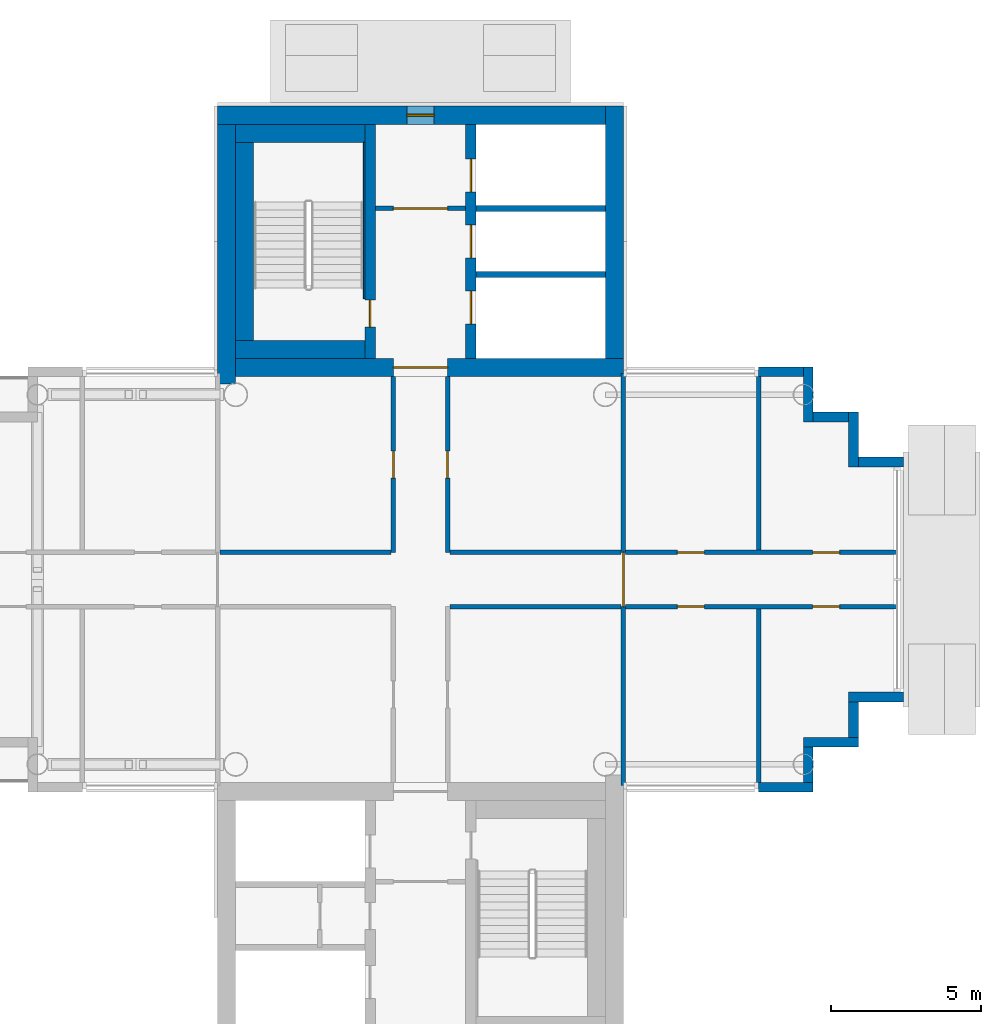
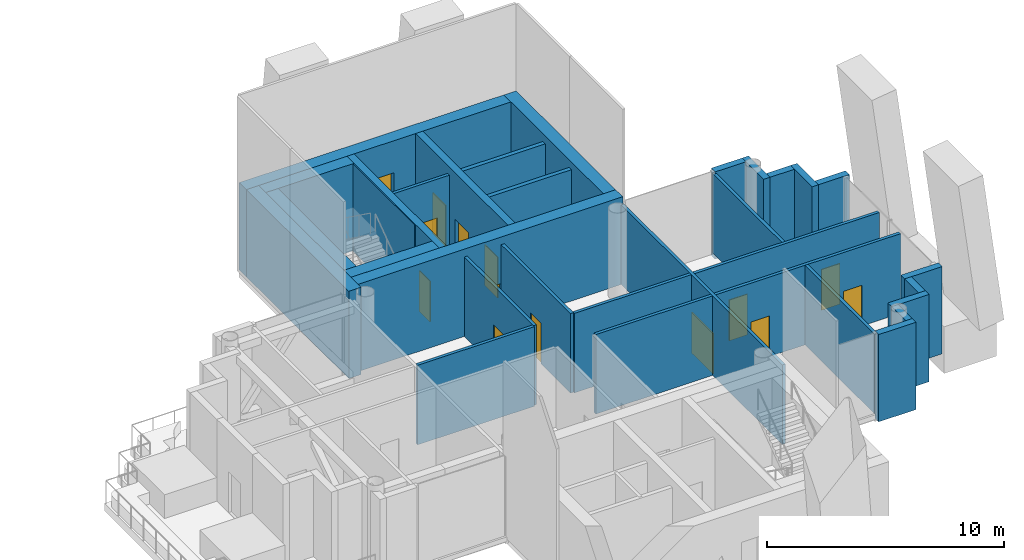
# One storey, part 10 of 16: 33 walls, 13 doors, 1 window, 14 openings.
"""IFC4 building model written with IfcOpenShell, lengths in metres."""

from ifc_helpers import new_model, si_unit, direction, frame, frame_2d, origin, place, context, subcontext, project, spatial, rectangle, extrude, material, layer, layer_set, type_object, element, fill, save


model = new_model("IFC4")

# Units and contexts
model_context = context("Model", 3, precision=1e-05, world=origin(), true_north=direction((0.0, 1.0)))
body_context = subcontext(model_context, "Body", "Model", "MODEL_VIEW")
ifc_project = project(units=[si_unit("LENGTHUNIT", "METRE"), si_unit("AREAUNIT", "SQUARE_METRE"), si_unit("VOLUMEUNIT", "CUBIC_METRE"), si_unit("PLANEANGLEUNIT", "RADIAN"), si_unit("MASSUNIT", "GRAM", prefix="KILO")], contexts=[model_context])

# Site, building, storey
site_placement = place(None, origin())
site = spatial("IfcSite", under=ifc_project, at=site_placement, CompositionType="ELEMENT")
building_placement = place(site_placement, origin())
building = spatial("IfcBuilding", under=site, at=building_placement, Name="Ipe Terrace Towers", CompositionType="ELEMENT")
storey_placement = place(building_placement, frame((0.0, 0.0, 233.39990234375)))
storey = spatial("IfcBuildingStorey", under=building, at=storey_placement, Name="L65", CompositionType="ELEMENT", Elevation=233.39990234375)

# Walls
ifc_material_1 = material(Name="Concrete C40/50 with buff precast cladding", Category="concrete")
ifc_layer_1 = layer(ifc_material_1, 0.320068359375)
ifc_layer_set_1 = layer_set([ifc_layer_1], Name="BUFF CLADDING WALL 320")
wall_type_1 = type_object("IfcWallType", Name="BUFF CLADDING WALL 320", PredefinedType="STANDARD", material=ifc_layer_set_1)
wall_1_placement = place(storey_placement, frame((47.25, -6.909912109375, -0.2998046875), z_axis=(0.0, 0.0, 1.0), x_axis=(1.0, 0.0, 0.0)))
element("IfcWall", 1, at=wall_1_placement, inside=storey, type_object=wall_type_1, Name="T2-W-L65-03a wall", PredefinedType="STANDARD", context=body_context, shape_type="SweptSolid", body=[
    extrude(rectangle(XDim=1.820068359375, YDim=0.320068359375, at=frame_2d((0.91015625, 0.0))), origin(), (0.0, 0.0, 1.0), 4.5),
])
wall_2_placement = place(storey_placement, frame((48.909912109375, -6.75, -0.2998046875), z_axis=(0.0, 0.0, 1.0), x_axis=(0.0, 1.0, 0.0)))
element("IfcWall", 2, at=wall_2_placement, inside=storey, type_object=wall_type_1, Name="T2-W-L65-04a wall", PredefinedType="STANDARD", context=body_context, shape_type="SweptSolid", body=[
    extrude(rectangle(XDim=1.179931640625, YDim=0.320068359375, at=frame_2d((0.58984375, 0.0))), origin(), (0.0, 0.0, 1.0), 4.5),
])
wall_3_placement = place(storey_placement, frame((48.75, -5.409912109375, -0.2998046875), z_axis=(0.0, 0.0, 1.0), x_axis=(1.0, 0.0, 0.0)))
element("IfcWall", 3, at=wall_3_placement, inside=storey, type_object=wall_type_1, Name="T2-W-L65-05a wall", PredefinedType="STANDARD", context=body_context, shape_type="SweptSolid", body=[
    extrude(rectangle(XDim=1.820068359375, YDim=0.320068359375, at=frame_2d((0.91015625, 0.0))), origin(), (0.0, 0.0, 1.0), 4.5),
])
wall_4_placement = place(storey_placement, frame((50.409912109375, -5.25, -0.2998046875), z_axis=(0.0, 0.0, 1.0), x_axis=(0.0, 1.0, 0.0)))
element("IfcWall", 4, at=wall_4_placement, inside=storey, type_object=wall_type_1, Name="T2-W-L65-06a wall", PredefinedType="STANDARD", context=body_context, shape_type="SweptSolid", body=[
    extrude(rectangle(XDim=1.179931640625, YDim=0.320068359375, at=frame_2d((0.58984375, 0.0))), origin(), (0.0, 0.0, 1.0), 4.5),
])
wall_5_placement = place(storey_placement, frame((50.25, -3.909912109375, -0.2998046875), z_axis=(0.0, 0.0, 1.0), x_axis=(1.0, 0.0, 0.0)))
element("IfcWall", 5, at=wall_5_placement, inside=storey, type_object=wall_type_1, Name="T2-W-L65-07a wall", PredefinedType="STANDARD", context=body_context, shape_type="SweptSolid", body=[
    extrude(rectangle(XDim=1.820068359375, YDim=0.320068359375, at=frame_2d((0.91015625, 0.0))), origin(), (0.0, 0.0, 1.0), 4.5),
])
wall_6_placement = place(storey_placement, frame((52.070068359375, 3.909912109375, -0.2998046875), z_axis=(0.0, 0.0, 1.0), x_axis=(-1.0, 0.0, 0.0)))
element("IfcWall", 6, at=wall_6_placement, inside=storey, type_object=wall_type_1, Name="T2-W-L65-09a wall", PredefinedType="STANDARD", context=body_context, shape_type="SweptSolid", body=[
    extrude(rectangle(XDim=1.5, YDim=0.320068359375, at=frame_2d((0.75, 0.0))), origin(), (0.0, 0.0, 1.0), 4.5),
])
wall_7_placement = place(storey_placement, frame((50.409912109375, 3.75, -0.2998046875), z_axis=(0.0, 0.0, 1.0), x_axis=(0.0, 1.0, 0.0)))
element("IfcWall", 7, at=wall_7_placement, inside=storey, type_object=wall_type_1, Name="T2-W-L65-10a wall", PredefinedType="STANDARD", context=body_context, shape_type="SweptSolid", body=[
    extrude(rectangle(XDim=1.820068359375, YDim=0.320068359375, at=frame_2d((0.91015625, 0.0))), origin(), (0.0, 0.0, 1.0), 4.5),
])
wall_8_placement = place(storey_placement, frame((50.25, 5.409912109375, -0.2998046875), z_axis=(0.0, 0.0, 1.0), x_axis=(-1.0, 0.0, 0.0)))
element("IfcWall", 8, at=wall_8_placement, inside=storey, type_object=wall_type_1, Name="T2-W-L65-11a wall", PredefinedType="STANDARD", context=body_context, shape_type="SweptSolid", body=[
    extrude(rectangle(XDim=1.179931640625, YDim=0.320068359375, at=frame_2d((0.58984375, 0.0))), origin(), (0.0, 0.0, 1.0), 4.5),
])
wall_9_placement = place(storey_placement, frame((48.909912109375, 5.25, -0.2998046875), z_axis=(0.0, 0.0, 1.0), x_axis=(0.0, 1.0, 0.0)))
element("IfcWall", 9, at=wall_9_placement, inside=storey, type_object=wall_type_1, Name="T2-W-L65-12a wall", PredefinedType="STANDARD", context=body_context, shape_type="SweptSolid", body=[
    extrude(rectangle(XDim=1.820068359375, YDim=0.320068359375, at=frame_2d((0.91015625, 0.0))), origin(), (0.0, 0.0, 1.0), 4.5),
])
wall_10_placement = place(storey_placement, frame((48.75, 6.909912109375, -0.2998046875), z_axis=(0.0, 0.0, 1.0), x_axis=(-1.0, 0.0, 0.0)))
element("IfcWall", 10, at=wall_10_placement, inside=storey, type_object=wall_type_1, Name="T2-W-L65-13a wall", PredefinedType="STANDARD", context=body_context, shape_type="SweptSolid", body=[
    extrude(rectangle(XDim=1.5, YDim=0.320068359375, at=frame_2d((0.75, 0.0))), origin(), (0.0, 0.0, 1.0), 4.5),
])

# Wall, opening, door
ifc_material_2 = material(Name="Gypsum board partition", Category="plasterboard")
ifc_layer_2 = layer(ifc_material_2, 0.14990234375)
ifc_layer_set_2 = layer_set([ifc_layer_2], Name="Gypsum board partition 150 mm")
wall_type_2 = type_object("IfcWallType", Name="Gypsum board partition 150 mm", PredefinedType="PARTITIONING", material=ifc_layer_set_2)
wall_11_placement = place(storey_placement, frame((37.5, 12.35009765625, 0.0), z_axis=(0.0, 0.0, 1.0), x_axis=(-1.0, 0.0, 0.0)))
wall_11 = element("IfcWall", 11, at=wall_11_placement, inside=storey, type_object=wall_type_2, Name="Gypsum board partition T2 L65 t2c1-lobby-wall", PredefinedType="PARTITIONING", context=body_context, shape_type="SweptSolid", body=[
    extrude(rectangle(XDim=3.0, YDim=0.14990234375, at=frame_2d((1.5, 0.0))), origin(), (0.0, 0.0, 1.0), 4.10009765625),
])
opening_1_placement = place(wall_11_placement, frame((0.60009765625, 0.0, 0.0)))
opening_1 = element("IfcOpeningElement", 12, at=opening_1_placement, cuts=wall_11, Name="Opening T2C1-VD", PredefinedType="OPENING", context=body_context, shape_type="SweptSolid", body=[
    extrude(rectangle(XDim=1.800048828125, YDim=2.10009765625, at=frame_2d((0.89990234375, 1.050048828125))), frame((0.0, 0.0849609375, 0.0), z_axis=(0.0, -1.0, 0.0), x_axis=(1.0, 0.0, 0.0)), (0.0, 0.0, 1.0), 0.169921875),
])
ifc_material_3 = material(Name="Fire-rated timber door leaf", Category="wood")
door_type_1 = type_object("IfcDoorType", Name="Lobby door 1800 x 2100 FD60", OperationType="NOTDEFINED", PredefinedType="DOOR", material=ifc_material_3)
door_1_placement = place(opening_1_placement, origin())
door_1 = element("IfcDoor", 13, at=door_1_placement, inside=storey, type_object=door_type_1, Name="Lobby door T2C1-VD", OperationType="SINGLE_SWING_LEFT", OverallHeight=2.10009765625, OverallWidth=1.800048828125, PredefinedType="DOOR", context=body_context, shape_type="SweptSolid", body=[
    extrude(rectangle(XDim=1.800048828125, YDim=2.10009765625, at=frame_2d((0.89990234375, 1.050048828125))), frame((0.0, 0.02490234375, 0.0), z_axis=(0.0, -1.0, 0.0), x_axis=(1.0, 0.0, 0.0)), (0.0, 0.0, 1.0), 0.050048828125),
])
fill(opening_1, door_1)

wall_12_placement = place(storey_placement, frame((35.10009765625, 0.89990234375, 0.0), z_axis=(0.0, 0.0, 1.0), x_axis=(0.0, 1.0, 0.0)))
wall_12 = element("IfcWall", 14, at=wall_12_placement, inside=storey, type_object=wall_type_2, Name="Gypsum board partition T2 L65 sp-hub-qen-x", PredefinedType="PARTITIONING", context=body_context, shape_type="SweptSolid", body=[
    extrude(rectangle(XDim=5.85009765625, YDim=0.14990234375, at=frame_2d((2.925048828125, 0.0))), origin(), (0.0, 0.0, 1.0), 4.10009765625),
])
opening_2_placement = place(wall_12_placement, frame((2.47509765625, 0.0, 0.0)))
opening_2 = element("IfcOpeningElement", 15, at=opening_2_placement, cuts=wall_12, Name="Opening T2-SP-HEN-FD60", PredefinedType="OPENING", context=body_context, shape_type="SweptSolid", body=[
    extrude(rectangle(XDim=0.89990234375, YDim=2.10009765625, at=frame_2d((0.449951171875, 1.050048828125))), frame((0.0, 0.0849609375, 0.0), z_axis=(0.0, -1.0, 0.0), x_axis=(1.0, 0.0, 0.0)), (0.0, 0.0, 1.0), 0.169921875),
])
ifc_material_4 = material(Name="Fire-rated timber door leaf", Category="wood")
door_type_2 = type_object("IfcDoorType", Name="Service door 900 x 2100 FD60", OperationType="NOTDEFINED", PredefinedType="DOOR", material=ifc_material_4)
door_2_placement = place(opening_2_placement, origin())
door_2 = element("IfcDoor", 16, at=door_2_placement, inside=storey, type_object=door_type_2, Name="Service door T2-SP-HEN-FD60", OperationType="SINGLE_SWING_LEFT", OverallHeight=2.10009765625, OverallWidth=0.89990234375, PredefinedType="DOOR", context=body_context, shape_type="SweptSolid", body=[
    extrude(rectangle(XDim=0.89990234375, YDim=2.10009765625, at=frame_2d((0.449951171875, 1.050048828125))), frame((0.0, 0.02490234375, 0.0), z_axis=(0.0, -1.0, 0.0), x_axis=(1.0, 0.0, 0.0)), (0.0, 0.0, 1.0), 0.050048828125),
])
fill(opening_2, door_2)

# Wall
wall_13_placement = place(storey_placement, frame((35.02490234375, 0.89990234375, 0.0), z_axis=(0.0, 0.0, 1.0), x_axis=(-1.0, 0.0, 0.0)))
element("IfcWall", 17, at=wall_13_placement, inside=storey, type_object=wall_type_2, Name="Gypsum board partition T2 L65 sp-hub-qen-y", PredefinedType="PARTITIONING", context=body_context, shape_type="SweptSolid", body=[
    extrude(rectangle(XDim=5.699951171875, YDim=0.14990234375, at=frame_2d((2.85009765625, 0.0))), origin(), (0.0, 0.0, 1.0), 4.10009765625),
])

# Wall, opening, door
wall_14_placement = place(storey_placement, frame((36.89990234375, 0.89990234375, 0.0), z_axis=(0.0, 0.0, 1.0), x_axis=(0.0, 1.0, 0.0)))
wall_14 = element("IfcWall", 18, at=wall_14_placement, inside=storey, type_object=wall_type_2, Name="Gypsum board partition T2 L65 sp-hub-qes-x", PredefinedType="PARTITIONING", context=body_context, shape_type="SweptSolid", body=[
    extrude(rectangle(XDim=5.85009765625, YDim=0.14990234375, at=frame_2d((2.925048828125, 0.0))), origin(), (0.0, 0.0, 1.0), 4.10009765625),
])
opening_3_placement = place(wall_14_placement, frame((2.47509765625, 0.0, 0.0)))
opening_3 = element("IfcOpeningElement", 19, at=opening_3_placement, cuts=wall_14, Name="Opening T2-SP-HES-FD60", PredefinedType="OPENING", context=body_context, shape_type="SweptSolid", body=[
    extrude(rectangle(XDim=0.89990234375, YDim=2.10009765625, at=frame_2d((0.449951171875, 1.050048828125))), frame((0.0, 0.0849609375, 0.0), z_axis=(0.0, -1.0, 0.0), x_axis=(1.0, 0.0, 0.0)), (0.0, 0.0, 1.0), 0.169921875),
])
door_3_placement = place(opening_3_placement, origin())
door_3 = element("IfcDoor", 20, at=door_3_placement, inside=storey, type_object=door_type_2, Name="Service door T2-SP-HES-FD60", OperationType="SINGLE_SWING_RIGHT", OverallHeight=2.10009765625, OverallWidth=0.89990234375, PredefinedType="DOOR", context=body_context, shape_type="SweptSolid", body=[
    extrude(rectangle(XDim=0.89990234375, YDim=2.10009765625, at=frame_2d((0.449951171875, 1.050048828125))), frame((0.0, 0.02490234375, 0.0), z_axis=(0.0, -1.0, 0.0), x_axis=(1.0, 0.0, 0.0)), (0.0, 0.0, 1.0), 0.050048828125),
])
fill(opening_3, door_3)

# Walls
for number, where, z_axis, x_axis, name in (
    (21, (42.675048828125, 0.89990234375, 0.0), (0.0, 0.0, 1.0), (-1.0, 0.0, 0.0), "Gypsum board partition T2 L65 sp-hub-qes-y"),
    (22, (42.675048828125, -0.89990234375, 0.0), (0.0, 0.0, 1.0), (-1.0, 0.0, 0.0), "Gypsum board partition T2 L65 sp-hub-qws-y"),
):
    element("IfcWall", number, at=place(storey_placement, frame(where, z_axis=z_axis, x_axis=x_axis)), inside=storey, type_object=wall_type_2, Name=name, PredefinedType="PARTITIONING", context=body_context, shape_type="SweptSolid", body=[
        extrude(rectangle(XDim=5.699951171875, YDim=0.14990234375, at=frame_2d((2.85009765625, 0.0))), origin(), (0.0, 0.0, 1.0), 4.10009765625),
    ])

# Wall, opening, door
wall_15_placement = place(storey_placement, frame((42.75, -6.85009765625, 0.0), z_axis=(0.0, 0.0, 1.0), x_axis=(0.0, 1.0, 0.0)))
wall_15 = element("IfcWall", 23, at=wall_15_placement, inside=storey, type_object=wall_type_2, Name="Gypsum board partition T2 L65 sp-Sm-mouth", PredefinedType="PARTITIONING", context=body_context, shape_type="SweptSolid", body=[
    extrude(rectangle(XDim=13.7001953125, YDim=0.14990234375, at=frame_2d((6.85009765625, 0.0))), origin(), (0.0, 0.0, 1.0), 4.10009765625),
])
opening_4_placement = place(wall_15_placement, frame((5.949951171875, 0.0, 0.0)))
opening_4 = element("IfcOpeningElement", 24, at=opening_4_placement, cuts=wall_15, Name="Opening T2-SP-MSm", PredefinedType="OPENING", context=body_context, shape_type="SweptSolid", body=[
    extrude(rectangle(XDim=1.800048828125, YDim=2.10009765625, at=frame_2d((0.89990234375, 1.050048828125))), frame((0.0, 0.0849609375, 0.0), z_axis=(0.0, -1.0, 0.0), x_axis=(1.0, 0.0, 0.0)), (0.0, 0.0, 1.0), 0.169921875),
])
ifc_material_5 = material(Name="Fire-rated timber door leaf", Category="wood")
door_type_3 = type_object("IfcDoorType", Name="Lobby door 1800 x 2100 FD30S", OperationType="NOTDEFINED", PredefinedType="DOOR", material=ifc_material_5)
door_4_placement = place(opening_4_placement, origin())
door_4 = element("IfcDoor", 25, at=door_4_placement, inside=storey, type_object=door_type_3, Name="Lobby door T2-SP-MSm", OperationType="SINGLE_SWING_RIGHT", OverallHeight=2.10009765625, OverallWidth=1.800048828125, PredefinedType="DOOR", context=body_context, shape_type="SweptSolid", body=[
    extrude(rectangle(XDim=1.800048828125, YDim=2.10009765625, at=frame_2d((0.89990234375, 1.050048828125))), frame((0.0, 0.02490234375, 0.0), z_axis=(0.0, -1.0, 0.0), x_axis=(1.0, 0.0, 0.0)), (0.0, 0.0, 1.0), 0.050048828125),
])
fill(opening_4, door_4)

# Wall, openings, doors
wall_16_placement = place(storey_placement, frame((51.85009765625, 0.89990234375, 0.0), z_axis=(0.0, 0.0, 1.0), x_axis=(-1.0, 0.0, 0.0)))
wall_16 = element("IfcWall", 26, at=wall_16_placement, inside=storey, type_object=wall_type_2, Name="Gypsum board partition T2 L65 sp-Sm-wp", PredefinedType="PARTITIONING", context=body_context, shape_type="SweptSolid", body=[
    extrude(rectangle(XDim=9.025146484375, YDim=0.14990234375, at=frame_2d((4.5126953125, 0.0))), origin(), (0.0, 0.0, 1.0), 4.10009765625),
])
opening_5_placement = place(wall_16_placement, frame((1.89990234375, 0.0, 0.0)))
opening_5 = element("IfcOpeningElement", 27, at=opening_5_placement, cuts=wall_16, Name="Opening T2-SP-PSm1-FD60", PredefinedType="OPENING", context=body_context, shape_type="SweptSolid", body=[
    extrude(rectangle(XDim=0.89990234375, YDim=2.10009765625, at=frame_2d((0.449951171875, 1.050048828125))), frame((0.0, 0.0849609375, 0.0), z_axis=(0.0, -1.0, 0.0), x_axis=(1.0, 0.0, 0.0)), (0.0, 0.0, 1.0), 0.169921875),
])
opening_6_placement = place(wall_16_placement, frame((6.39990234375, 0.0, 0.0)))
opening_6 = element("IfcOpeningElement", 28, at=opening_6_placement, cuts=wall_16, Name="Opening T2-SP-PSm2-FD60", PredefinedType="OPENING", context=body_context, shape_type="SweptSolid", body=[
    extrude(rectangle(XDim=0.89990234375, YDim=2.10009765625, at=frame_2d((0.449951171875, 1.050048828125))), frame((0.0, 0.0849609375, 0.0), z_axis=(0.0, -1.0, 0.0), x_axis=(1.0, 0.0, 0.0)), (0.0, 0.0, 1.0), 0.169921875),
])
door_5_placement = place(opening_5_placement, origin())
door_5 = element("IfcDoor", 29, at=door_5_placement, inside=storey, type_object=door_type_2, Name="Service door T2-SP-PSm1-FD60", OperationType="SINGLE_SWING_LEFT", OverallHeight=2.10009765625, OverallWidth=0.89990234375, PredefinedType="DOOR", context=body_context, shape_type="SweptSolid", body=[
    extrude(rectangle(XDim=0.89990234375, YDim=2.10009765625, at=frame_2d((0.449951171875, 1.050048828125))), frame((0.0, 0.02490234375, 0.0), z_axis=(0.0, -1.0, 0.0), x_axis=(1.0, 0.0, 0.0)), (0.0, 0.0, 1.0), 0.050048828125),
])
fill(opening_5, door_5)
door_6_placement = place(opening_6_placement, origin())
door_6 = element("IfcDoor", 30, at=door_6_placement, inside=storey, type_object=door_type_2, Name="Service door T2-SP-PSm2-FD60", OperationType="SINGLE_SWING_RIGHT", OverallHeight=2.10009765625, OverallWidth=0.89990234375, PredefinedType="DOOR", context=body_context, shape_type="SweptSolid", body=[
    extrude(rectangle(XDim=0.89990234375, YDim=2.10009765625, at=frame_2d((0.449951171875, 1.050048828125))), frame((0.0, 0.02490234375, 0.0), z_axis=(0.0, -1.0, 0.0), x_axis=(1.0, 0.0, 0.0)), (0.0, 0.0, 1.0), 0.050048828125),
])
fill(opening_6, door_6)

# Wall
wall_17_placement = place(storey_placement, frame((47.25, 0.97509765625, 0.0), z_axis=(0.0, 0.0, 1.0), x_axis=(0.0, 1.0, 0.0)))
element("IfcWall", 31, at=wall_17_placement, inside=storey, type_object=wall_type_2, Name="Gypsum board partition T2 L65 sp-Sm-dp1", PredefinedType="PARTITIONING", context=body_context, shape_type="SweptSolid", body=[
    extrude(rectangle(XDim=5.875, YDim=0.14990234375, at=frame_2d((2.9375, 0.0))), origin(), (0.0, 0.0, 1.0), 4.10009765625),
])

# Wall, openings, doors
wall_18_placement = place(storey_placement, frame((51.85009765625, -0.89990234375, 0.0), z_axis=(0.0, 0.0, 1.0), x_axis=(-1.0, 0.0, 0.0)))
wall_18 = element("IfcWall", 32, at=wall_18_placement, inside=storey, type_object=wall_type_2, Name="Gypsum board partition T2 L65 sp-Sm-wm", PredefinedType="PARTITIONING", context=body_context, shape_type="SweptSolid", body=[
    extrude(rectangle(XDim=9.025146484375, YDim=0.14990234375, at=frame_2d((4.5126953125, 0.0))), origin(), (0.0, 0.0, 1.0), 4.10009765625),
])
opening_7_placement = place(wall_18_placement, frame((1.89990234375, 0.0, 0.0)))
opening_7 = element("IfcOpeningElement", 33, at=opening_7_placement, cuts=wall_18, Name="Opening T2-SP-MSm1-FD60", PredefinedType="OPENING", context=body_context, shape_type="SweptSolid", body=[
    extrude(rectangle(XDim=0.89990234375, YDim=2.10009765625, at=frame_2d((0.449951171875, 1.050048828125))), frame((0.0, 0.0849609375, 0.0), z_axis=(0.0, -1.0, 0.0), x_axis=(1.0, 0.0, 0.0)), (0.0, 0.0, 1.0), 0.169921875),
])
opening_8_placement = place(wall_18_placement, frame((6.39990234375, 0.0, 0.0)))
opening_8 = element("IfcOpeningElement", 34, at=opening_8_placement, cuts=wall_18, Name="Opening T2-SP-MSm2-FD60", PredefinedType="OPENING", context=body_context, shape_type="SweptSolid", body=[
    extrude(rectangle(XDim=0.89990234375, YDim=2.10009765625, at=frame_2d((0.449951171875, 1.050048828125))), frame((0.0, 0.0849609375, 0.0), z_axis=(0.0, -1.0, 0.0), x_axis=(1.0, 0.0, 0.0)), (0.0, 0.0, 1.0), 0.169921875),
])
door_7_placement = place(opening_7_placement, origin())
door_7 = element("IfcDoor", 35, at=door_7_placement, inside=storey, type_object=door_type_2, Name="Service door T2-SP-MSm1-FD60", OperationType="SINGLE_SWING_RIGHT", OverallHeight=2.10009765625, OverallWidth=0.89990234375, PredefinedType="DOOR", context=body_context, shape_type="SweptSolid", body=[
    extrude(rectangle(XDim=0.89990234375, YDim=2.10009765625, at=frame_2d((0.449951171875, 1.050048828125))), frame((0.0, 0.02490234375, 0.0), z_axis=(0.0, -1.0, 0.0), x_axis=(1.0, 0.0, 0.0)), (0.0, 0.0, 1.0), 0.050048828125),
])
fill(opening_7, door_7)
door_8_placement = place(opening_8_placement, origin())
door_8 = element("IfcDoor", 36, at=door_8_placement, inside=storey, type_object=door_type_2, Name="Service door T2-SP-MSm2-FD60", OperationType="SINGLE_SWING_LEFT", OverallHeight=2.10009765625, OverallWidth=0.89990234375, PredefinedType="DOOR", context=body_context, shape_type="SweptSolid", body=[
    extrude(rectangle(XDim=0.89990234375, YDim=2.10009765625, at=frame_2d((0.449951171875, 1.050048828125))), frame((0.0, 0.02490234375, 0.0), z_axis=(0.0, -1.0, 0.0), x_axis=(1.0, 0.0, 0.0)), (0.0, 0.0, 1.0), 0.050048828125),
])
fill(opening_8, door_8)

# Walls
wall_19_placement = place(storey_placement, frame((47.25, -0.97509765625, 0.0), z_axis=(0.0, 0.0, 1.0), x_axis=(0.0, -1.0, 0.0)))
element("IfcWall", 37, at=wall_19_placement, inside=storey, type_object=wall_type_2, Name="Gypsum board partition T2 L65 sp-Sm-dm1", PredefinedType="PARTITIONING", context=body_context, shape_type="SweptSolid", body=[
    extrude(rectangle(XDim=5.875, YDim=0.14990234375, at=frame_2d((2.9375, 0.0))), origin(), (0.0, 0.0, 1.0), 4.10009765625),
])
ifc_material_6 = material(Name="Gypsum board party wall", Category="plasterboard")
ifc_layer_3 = layer(ifc_material_6, 0.199951171875)
ifc_layer_set_3 = layer_set([ifc_layer_3], Name="Gypsum board party wall 200 mm")
wall_type_3 = type_object("IfcWallType", Name="Gypsum board party wall 200 mm", PredefinedType="SOLIDWALL", material=ifc_layer_set_3)
for number, where, z_axis, x_axis, name in (
    (38, (42.14990234375, 10.14990234375, 0.0), (0.0, 0.0, 1.0), (-1.0, 0.0, 0.0), "Gypsum board party wall T2 L65 t2c1-shaft-div1"),
    (39, (42.14990234375, 12.35009765625, 0.0), (0.0, 0.0, 1.0), (-1.0, 0.0, 0.0), "Gypsum board party wall T2 L65 t2c1-shaft-div2"),
):
    element("IfcWall", number, at=place(storey_placement, frame(where, z_axis=z_axis, x_axis=x_axis)), inside=storey, type_object=wall_type_3, Name=name, PredefinedType="SOLIDWALL", context=body_context, shape_type="SweptSolid", body=[
        extrude(rectangle(XDim=4.2998046875, YDim=0.199951171875, at=frame_2d((2.14990234375, 0.0))), origin(), (0.0, 0.0, 1.0), 4.10009765625),
    ])

# Wall, opening, door
ifc_material_7 = material(Name="Concrete C40/50", Category="concrete")
ifc_layer_4 = layer(ifc_material_7, 0.35009765625)
ifc_layer_set_4 = layer_set([ifc_layer_4], Name="RW350 CORE SPINE WALL 350 C40-50")
wall_type_4 = type_object("IfcWallType", Name="RW350 CORE SPINE WALL 350 C40-50", PredefinedType="SHEAR", material=ifc_layer_set_4)
wall_20_placement = place(storey_placement, frame((34.324951171875, 7.35009765625, 0.0), z_axis=(0.0, 0.0, 1.0), x_axis=(0.0, 1.0, 0.0)))
wall_20 = element("IfcWall", 40, at=wall_20_placement, inside=storey, type_object=wall_type_4, Name="Core spine wall T2-C1-Z4-SW1", PredefinedType="SHEAR", context=body_context, shape_type="SweptSolid", body=[
    extrude(rectangle(XDim=7.7998046875, YDim=0.35009765625, at=frame_2d((3.89990234375, 0.0))), origin(), (0.0, 0.0, 1.0), 4.5),
])
opening_9_placement = place(wall_20_placement, frame((1.050048828125, 0.0, 0.0)))
opening_9 = element("IfcOpeningElement", 41, at=opening_9_placement, cuts=wall_20, Name="Opening T2C1-SD", PredefinedType="OPENING", context=body_context, shape_type="SweptSolid", body=[
    extrude(rectangle(XDim=0.89990234375, YDim=2.10009765625, at=frame_2d((0.449951171875, 1.050048828125))), frame((0.0, 0.18505859375, 0.0), z_axis=(0.0, -1.0, 0.0), x_axis=(1.0, 0.0, 0.0)), (0.0, 0.0, 1.0), 0.3701171875),
])
ifc_material_8 = material(Name="Fire-rated timber door leaf", Category="wood")
door_type_4 = type_object("IfcDoorType", Name="Stair door 900 x 2100 FD60", OperationType="NOTDEFINED", PredefinedType="DOOR", material=ifc_material_8)
door_9_placement = place(opening_9_placement, origin())
door_9 = element("IfcDoor", 42, at=door_9_placement, inside=storey, type_object=door_type_4, Name="Stair door T2C1-SD", OperationType="SINGLE_SWING_LEFT", OverallHeight=2.10009765625, OverallWidth=0.89990234375, PredefinedType="DOOR", context=body_context, shape_type="SweptSolid", body=[
    extrude(rectangle(XDim=0.89990234375, YDim=2.10009765625, at=frame_2d((0.449951171875, 1.050048828125))), frame((0.0, 0.02490234375, 0.0), z_axis=(0.0, -1.0, 0.0), x_axis=(1.0, 0.0, 0.0)), (0.0, 0.0, 1.0), 0.050048828125),
])
fill(opening_9, door_9)

# Wall, openings, doors
wall_21_placement = place(storey_placement, frame((37.675048828125, 7.35009765625, 0.0), z_axis=(0.0, 0.0, 1.0), x_axis=(0.0, 1.0, 0.0)))
wall_21 = element("IfcWall", 43, at=wall_21_placement, inside=storey, type_object=wall_type_4, Name="Core spine wall T2-C1-Z4-SW2", PredefinedType="SHEAR", context=body_context, shape_type="SweptSolid", body=[
    extrude(rectangle(XDim=7.7998046875, YDim=0.35009765625, at=frame_2d((3.89990234375, 0.0))), origin(), (0.0, 0.0, 1.0), 4.5),
])
opening_10_placement = place(wall_21_placement, frame((1.14990234375, 0.0, 0.0)))
opening_10 = element("IfcOpeningElement", 44, at=opening_10_placement, cuts=wall_21, Name="Opening T2C1-LD1", PredefinedType="OPENING", context=body_context, shape_type="SweptSolid", body=[
    extrude(rectangle(XDim=1.10009765625, YDim=2.10009765625, at=frame_2d((0.550048828125, 1.050048828125))), frame((0.0, 0.18505859375, 0.0), z_axis=(0.0, -1.0, 0.0), x_axis=(1.0, 0.0, 0.0)), (0.0, 0.0, 1.0), 0.3701171875),
])
opening_11_placement = place(wall_21_placement, frame((3.35009765625, 0.0, 0.0)))
opening_11 = element("IfcOpeningElement", 45, at=opening_11_placement, cuts=wall_21, Name="Opening T2C1-LD2", PredefinedType="OPENING", context=body_context, shape_type="SweptSolid", body=[
    extrude(rectangle(XDim=1.10009765625, YDim=2.10009765625, at=frame_2d((0.550048828125, 1.050048828125))), frame((0.0, 0.18505859375, 0.0), z_axis=(0.0, -1.0, 0.0), x_axis=(1.0, 0.0, 0.0)), (0.0, 0.0, 1.0), 0.3701171875),
])
opening_12_placement = place(wall_21_placement, frame((5.550048828125, 0.0, 0.0)))
opening_12 = element("IfcOpeningElement", 46, at=opening_12_placement, cuts=wall_21, Name="Opening T2C1-LD3", PredefinedType="OPENING", context=body_context, shape_type="SweptSolid", body=[
    extrude(rectangle(XDim=1.10009765625, YDim=2.10009765625, at=frame_2d((0.550048828125, 1.050048828125))), frame((0.0, 0.18505859375, 0.0), z_axis=(0.0, -1.0, 0.0), x_axis=(1.0, 0.0, 0.0)), (0.0, 0.0, 1.0), 0.3701171875),
])
ifc_material_9 = material(Name="Fire-rated timber door leaf", Category="wood")
door_type_5 = type_object("IfcDoorType", Name="Sliding door 1100 x 2100 FD60", OperationType="SLIDING_TO_LEFT", PredefinedType="DOOR", material=ifc_material_9)
door_10_placement = place(opening_10_placement, origin())
door_10 = element("IfcDoor", 47, at=door_10_placement, inside=storey, type_object=door_type_5, Name="Sliding door T2C1-LD1", OperationType="SLIDING_TO_LEFT", OverallHeight=2.10009765625, OverallWidth=1.10009765625, PredefinedType="DOOR", context=body_context, shape_type="SweptSolid", body=[
    extrude(rectangle(XDim=1.10009765625, YDim=2.10009765625, at=frame_2d((0.550048828125, 1.050048828125))), frame((0.0, 0.02490234375, 0.0), z_axis=(0.0, -1.0, 0.0), x_axis=(1.0, 0.0, 0.0)), (0.0, 0.0, 1.0), 0.050048828125),
])
fill(opening_10, door_10)
door_11_placement = place(opening_11_placement, origin())
door_11 = element("IfcDoor", 48, at=door_11_placement, inside=storey, type_object=door_type_5, Name="Sliding door T2C1-LD2", OperationType="SLIDING_TO_LEFT", OverallHeight=2.10009765625, OverallWidth=1.10009765625, PredefinedType="DOOR", context=body_context, shape_type="SweptSolid", body=[
    extrude(rectangle(XDim=1.10009765625, YDim=2.10009765625, at=frame_2d((0.550048828125, 1.050048828125))), frame((0.0, 0.02490234375, 0.0), z_axis=(0.0, -1.0, 0.0), x_axis=(1.0, 0.0, 0.0)), (0.0, 0.0, 1.0), 0.050048828125),
])
fill(opening_11, door_11)
door_12_placement = place(opening_12_placement, origin())
door_12 = element("IfcDoor", 49, at=door_12_placement, inside=storey, type_object=door_type_5, Name="Sliding door T2C1-LD3", OperationType="SLIDING_TO_LEFT", OverallHeight=2.10009765625, OverallWidth=1.10009765625, PredefinedType="DOOR", context=body_context, shape_type="SweptSolid", body=[
    extrude(rectangle(XDim=1.10009765625, YDim=2.10009765625, at=frame_2d((0.550048828125, 1.050048828125))), frame((0.0, 0.02490234375, 0.0), z_axis=(0.0, -1.0, 0.0), x_axis=(1.0, 0.0, 0.0)), (0.0, 0.0, 1.0), 0.050048828125),
])
fill(opening_12, door_12)

# Walls
ifc_material_10 = material(Name="Concrete C40/50", Category="concrete")
ifc_layer_5 = layer(ifc_material_10, 0.050048828125)
ifc_layer_set_5 = layer_set([ifc_layer_5], Name="RW50 CORE INFILL WALL 50 C40-50")
wall_type_5 = type_object("IfcWallType", Name="RW50 CORE INFILL WALL 50 C40-50", PredefinedType="SHEAR", material=ifc_layer_set_5)
wall_22_placement = place(storey_placement, frame((34.125, 9.35009765625, 0.0), z_axis=(0.0, 0.0, 1.0), x_axis=(0.0, 1.0, 0.0)))
element("IfcWall", 50, at=wall_22_placement, inside=storey, type_object=wall_type_5, Name="Core infill wall T2-C1-spine-b", PredefinedType="SHEAR", context=body_context, shape_type="SweptSolid", body=[
    extrude(rectangle(XDim=5.199951171875, YDim=0.050048828125, at=frame_2d((2.60009765625, 0.0))), origin(), (0.0, 0.0, 1.0), 4.5),
])
ifc_material_11 = material(Name="Concrete C40/50", Category="concrete")
ifc_layer_6 = layer(ifc_material_11, 0.60009765625)
ifc_layer_set_6 = layer_set([ifc_layer_6], Name="RW600 CORE INFILL WALL 600 C40-50")
wall_type_6 = type_object("IfcWallType", Name="RW600 CORE INFILL WALL 600 C40-50", PredefinedType="SHEAR", material=ifc_layer_set_6)
wall_23_placement = place(storey_placement, frame((34.14990234375, 14.85009765625, 0.0), z_axis=(0.0, 0.0, 1.0), x_axis=(-1.0, 0.0, 0.0)))
element("IfcWall", 51, at=wall_23_placement, inside=storey, type_object=wall_type_6, Name="Core infill wall T2-C1-far", PredefinedType="SHEAR", context=body_context, shape_type="SweptSolid", body=[
    extrude(rectangle(XDim=4.2998046875, YDim=0.60009765625, at=frame_2d((2.14990234375, 0.0))), origin(), (0.0, 0.0, 1.0), 4.5),
])
wall_24_placement = place(storey_placement, frame((30.14990234375, 7.949951171875, 0.0), z_axis=(0.0, 0.0, 1.0), x_axis=(0.0, 1.0, 0.0)))
element("IfcWall", 52, at=wall_24_placement, inside=storey, type_object=wall_type_6, Name="Core infill wall T2-C1-back", PredefinedType="SHEAR", context=body_context, shape_type="SweptSolid", body=[
    extrude(rectangle(XDim=6.60009765625, YDim=0.60009765625, at=frame_2d((3.300048828125, 0.0))), origin(), (0.0, 0.0, 1.0), 4.5),
])
wall_25_placement = place(storey_placement, frame((34.14990234375, 7.64990234375, 0.0), z_axis=(0.0, 0.0, 1.0), x_axis=(-1.0, 0.0, 0.0)))
element("IfcWall", 53, at=wall_25_placement, inside=storey, type_object=wall_type_6, Name="Core infill wall T2-C1-near", PredefinedType="SHEAR", context=body_context, shape_type="SweptSolid", body=[
    extrude(rectangle(XDim=4.2998046875, YDim=0.60009765625, at=frame_2d((2.14990234375, 0.0))), origin(), (0.0, 0.0, 1.0), 4.5),
])

# Wall, opening, door
ifc_material_12 = material(Name="Concrete C40/50", Category="concrete")
ifc_layer_7 = layer(ifc_material_12, 0.60009765625)
ifc_layer_set_7 = layer_set([ifc_layer_7], Name="RW600 CORE WALL 600 C40-50")
wall_type_7 = type_object("IfcWallType", Name="RW600 CORE WALL 600 C40-50", PredefinedType="SHEAR", material=ifc_layer_set_7)
wall_26_placement = place(storey_placement, frame((29.85009765625, 7.050048828125, 0.0), z_axis=(0.0, 0.0, 1.0), x_axis=(1.0, 0.0, 0.0)))
wall_26 = element("IfcWall", 54, at=wall_26_placement, inside=storey, type_object=wall_type_7, Name="Core wall T2-C1-Z4-W01", PredefinedType="SHEAR", context=body_context, shape_type="SweptSolid", body=[
    extrude(rectangle(XDim=12.89990234375, YDim=0.60009765625, at=frame_2d((6.449951171875, 0.0))), origin(), (0.0, 0.0, 1.0), 4.5),
])
opening_13_placement = place(wall_26_placement, frame((5.25, 0.0, 0.0)))
opening_13 = element("IfcOpeningElement", 55, at=opening_13_placement, cuts=wall_26, Name="Opening T2C1-ND", PredefinedType="OPENING", context=body_context, shape_type="SweptSolid", body=[
    extrude(rectangle(XDim=1.800048828125, YDim=2.10009765625, at=frame_2d((0.89990234375, 1.050048828125))), frame((0.0, 0.31005859375, 0.0), z_axis=(0.0, -1.0, 0.0), x_axis=(1.0, 0.0, 0.0)), (0.0, 0.0, 1.0), 0.6201171875),
])
ifc_material_13 = material(Name="Fire-rated timber door leaf", Category="wood")
door_type_6 = type_object("IfcDoorType", Name="Fire door 1800 x 2100 FD30S", OperationType="NOTDEFINED", PredefinedType="DOOR", material=ifc_material_13)
door_13_placement = place(opening_13_placement, origin())
door_13 = element("IfcDoor", 56, at=door_13_placement, inside=storey, type_object=door_type_6, Name="Fire door T2C1-ND", OperationType="SINGLE_SWING_LEFT", OverallHeight=2.10009765625, OverallWidth=1.800048828125, PredefinedType="DOOR", context=body_context, shape_type="SweptSolid", body=[
    extrude(rectangle(XDim=1.800048828125, YDim=2.10009765625, at=frame_2d((0.89990234375, 1.050048828125))), frame((0.0, 0.02490234375, 0.0), z_axis=(0.0, -1.0, 0.0), x_axis=(1.0, 0.0, 0.0)), (0.0, 0.0, 1.0), 0.050048828125),
])
fill(opening_13, door_13)

# Wall
wall_27_placement = place(storey_placement, frame((42.449951171875, 7.35009765625, 0.0), z_axis=(0.0, 0.0, 1.0), x_axis=(0.0, 1.0, 0.0)))
element("IfcWall", 57, at=wall_27_placement, inside=storey, type_object=wall_type_7, Name="Core wall T2-C1-Z4-W02", PredefinedType="SHEAR", context=body_context, shape_type="SweptSolid", body=[
    extrude(rectangle(XDim=8.39990234375, YDim=0.60009765625, at=frame_2d((4.199951171875, 0.0))), origin(), (0.0, 0.0, 1.0), 4.5),
])

# Wall, opening, window
wall_28_placement = place(storey_placement, frame((42.14990234375, 15.449951171875, 0.0), z_axis=(0.0, 0.0, 1.0), x_axis=(-1.0, 0.0, 0.0)))
wall_28 = element("IfcWall", 58, at=wall_28_placement, inside=storey, type_object=wall_type_7, Name="Core wall T2-C1-Z4-W03", PredefinedType="SHEAR", context=body_context, shape_type="SweptSolid", body=[
    extrude(rectangle(XDim=12.89990234375, YDim=0.60009765625, at=frame_2d((6.449951171875, 0.0))), origin(), (0.0, 0.0, 1.0), 4.5),
])
opening_14_placement = place(wall_28_placement, frame((5.699951171875, 0.0, 0.449951171875)))
opening_14 = element("IfcOpeningElement", 59, at=opening_14_placement, cuts=wall_28, Name="Opening T2-C1-W-01-L65", PredefinedType="OPENING", context=body_context, shape_type="SweptSolid", body=[
    extrude(rectangle(XDim=0.89990234375, YDim=2.39990234375, at=frame_2d((0.449951171875, 1.199951171875))), frame((0.0, 0.31005859375, 0.0), z_axis=(0.0, -1.0, 0.0), x_axis=(1.0, 0.0, 0.0)), (0.0, 0.0, 1.0), 0.6201171875),
])
ifc_material_14 = material(Name="Fire-resistant glazing EI 60", Category="glass")
window_type = type_object("IfcWindowType", Name="CORRIDOR END SLOT WINDOW 900 x 2400 EI 60", PartitioningType="SINGLE_PANEL", PredefinedType="WINDOW", material=ifc_material_14)
window_placement = place(opening_14_placement, origin())
window = element("IfcWindow", 60, at=window_placement, inside=storey, type_object=window_type, Name="W-01 window", OverallHeight=2.39990234375, OverallWidth=0.89990234375, PartitioningType="SINGLE_PANEL", PredefinedType="WINDOW", context=body_context, shape_type="SweptSolid", body=[
    extrude(rectangle(XDim=0.89990234375, YDim=2.39990234375, at=frame_2d((0.449951171875, 1.199951171875))), frame((0.0, 0.030029296875, 0.0), z_axis=(0.0, -1.0, 0.0), x_axis=(1.0, 0.0, 0.0)), (0.0, 0.0, 1.0), 0.06005859375),
])
fill(opening_14, window)

# Wall
wall_29_placement = place(storey_placement, frame((29.550048828125, 15.14990234375, 0.0), z_axis=(0.0, 0.0, 1.0), x_axis=(0.0, -1.0, 0.0)))
element("IfcWall", 61, at=wall_29_placement, inside=storey, type_object=wall_type_7, Name="Core wall T2-C1-Z4-W04", PredefinedType="SHEAR", context=body_context, shape_type="SweptSolid", body=[
    extrude(rectangle(XDim=8.64794921875, YDim=0.60009765625, at=frame_2d((4.323974609375, 0.0))), origin(), (0.0, 0.0, 1.0), 4.5),
])

save(model, "model.ifc")
